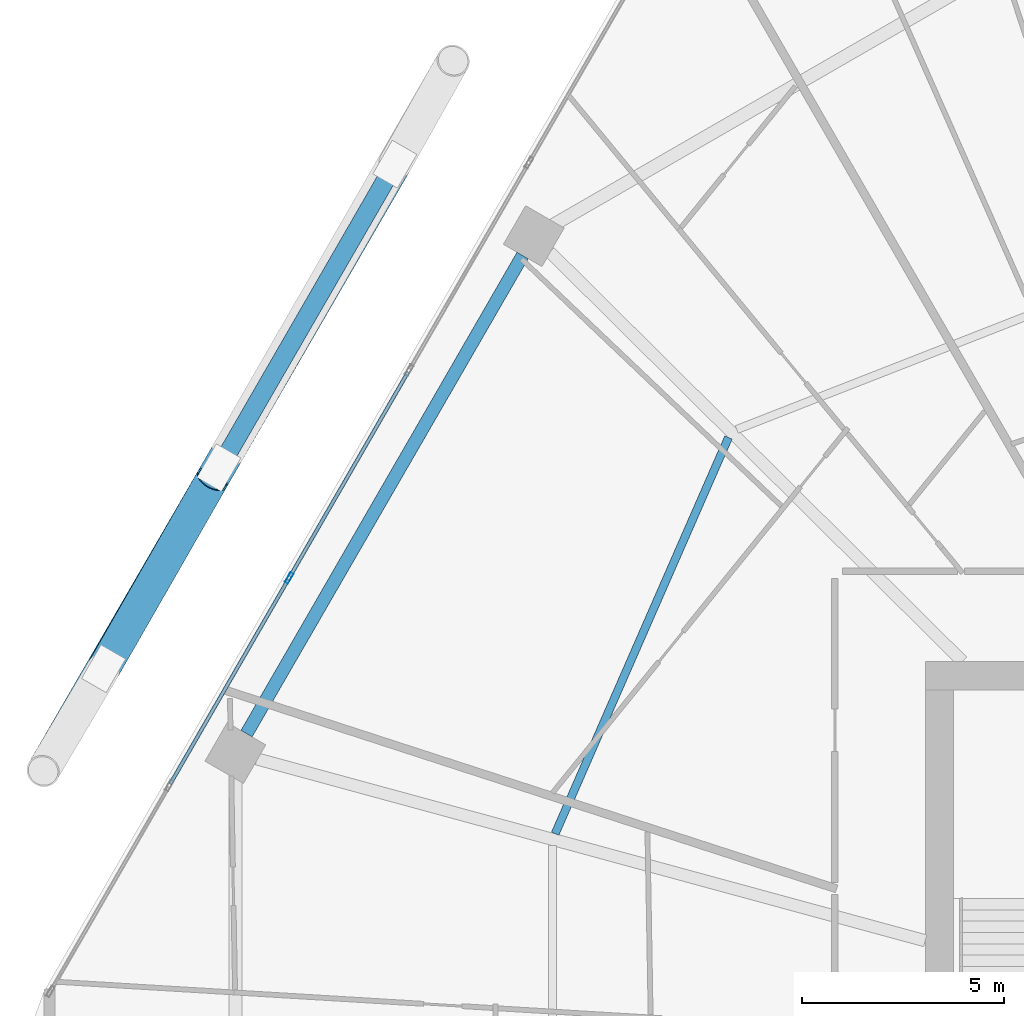
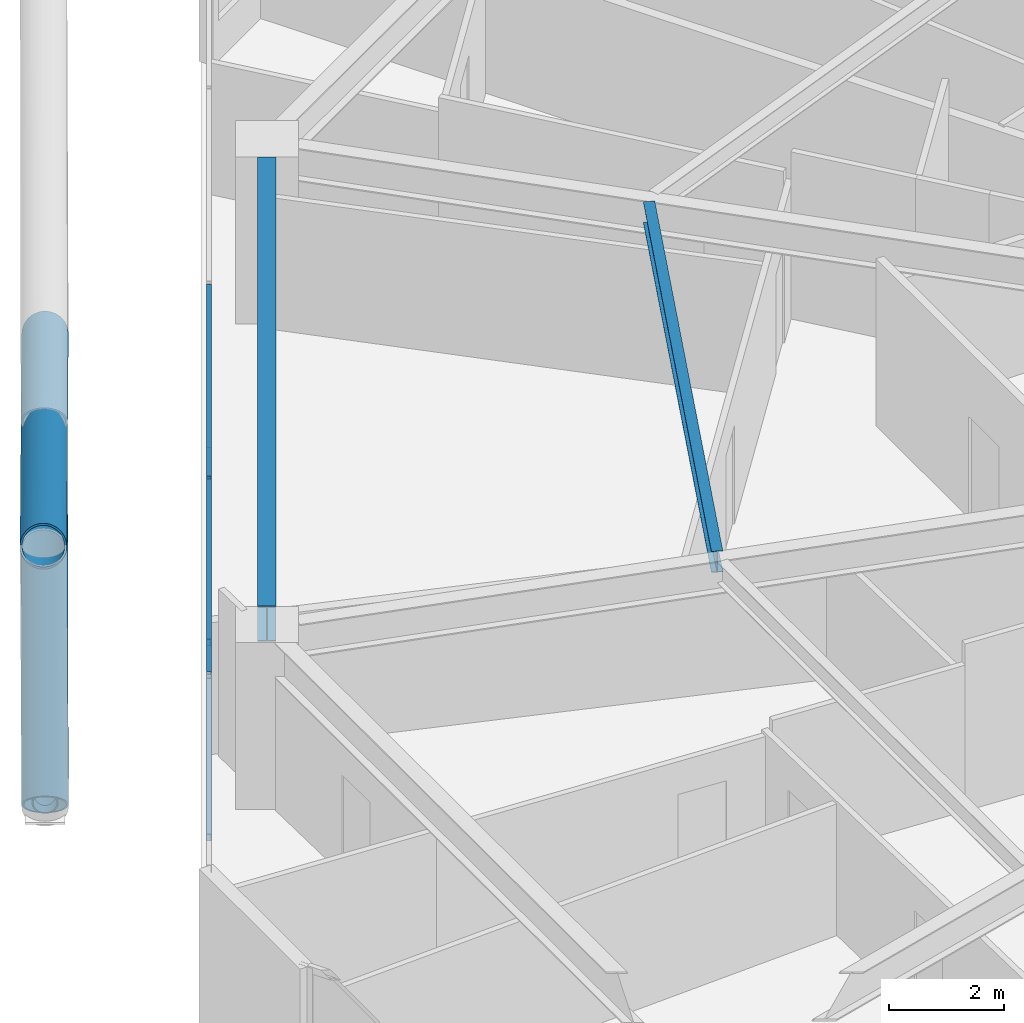
# One storey, part 15 of 34: 8 members, 2 beams, 1 element without a shape of its own.
"""IFC4 building model written with IfcOpenShell, lengths in metres."""

from ifc_helpers import new_model, si_unit, direction, frame, origin, origin_2d, place, context, subcontext, project, spatial, hollow_rectangle, hollow_circle, i_section, extrude, material, material_profile, profile_set, type_object, element, aggregate, save


model = new_model("IFC4")

# Units and contexts
model_context = context("Model", 3, precision=1e-05, world=origin(), true_north=direction((0.0, 1.0)))
body_context = subcontext(model_context, "Body", "Model", "MODEL_VIEW")
ifc_project = project(units=[si_unit("LENGTHUNIT", "METRE"), si_unit("AREAUNIT", "SQUARE_METRE"), si_unit("VOLUMEUNIT", "CUBIC_METRE"), si_unit("PLANEANGLEUNIT", "RADIAN"), si_unit("MASSUNIT", "GRAM", prefix="KILO")], contexts=[model_context])

# Site, building, storey
site_placement = place(None, origin())
site = spatial("IfcSite", under=ifc_project, at=site_placement, CompositionType="ELEMENT")
building_placement = place(site_placement, origin())
building = spatial("IfcBuilding", under=site, at=building_placement, Name="Zuhravey Tower", CompositionType="ELEMENT")
storey_placement = place(building_placement, frame((0.0, 0.0, 100.0)))
storey = spatial("IfcBuildingStorey", under=building, at=storey_placement, Name="L24", CompositionType="ELEMENT", Elevation=100.0)

# Curtain wall, members
ifc_material_1 = material(Name="Thermally broken anodised aluminium", Category="aluminium")
curtain_wall_type = type_object("IfcCurtainWallType", Name="Zone 1-2 Residential Curtain Wall CW3", PredefinedType="NOTDEFINED", material=ifc_material_1)
curtain_wall_placement = place(storey_placement, origin())
curtain_wall = element("IfcCurtainWall", 1, at=curtain_wall_placement, inside=storey, type_object=curtain_wall_type, Name="L24 CW3 CW-L24-F3-1", PredefinedType="NOTDEFINED")
ifc_material_2 = material(Name="Anodised aluminium", Category="aluminium")
ifc_material_profile_1 = material_profile(ifc_material_2, hollow_rectangle(XDim=0.090087890625, YDim=0.284912109375, WallThickness=0.0048828125, at=origin_2d()), Name="ALU-RHS-90x285x5")
ifc_profile_set_1 = profile_set([ifc_material_profile_1], Name="Anodised aluminium")
member_type_1 = type_object("IfcMemberType", Name="Curtain-Wall Mullion 90x180", PredefinedType="MULLION", material=ifc_profile_set_1)
member_1_placement = place(storey_placement, frame((9.44140625, 43.916015625, 0.0), z_axis=(0.0, 0.0, 1.0), x_axis=(-0.86602552265, 0.499999794119, 0.0)))
member_1 = element("IfcMember", 2, at=member_1_placement, type_object=member_type_1, Name="CW3 mullion 3", PredefinedType="MULLION", context=body_context, shape_type="SweptSolid", body=[
    extrude(hollow_rectangle(XDim=0.090087890625, YDim=0.284912109375, WallThickness=0.0048828125, at=origin_2d()), origin(), (0.0, 0.0, 1.0), 3.550048828125),
])
ifc_material_profile_2 = material_profile(ifc_material_2, hollow_rectangle(XDim=0.090087890625, YDim=0.14990234375, WallThickness=0.0048828125, at=origin_2d()), Name="ALU-RHS-90x150x5")
ifc_profile_set_2 = profile_set([ifc_material_profile_2], Name="Anodised aluminium")
member_type_2 = type_object("IfcMemberType", Name="Curtain-Wall Transom 90x150", PredefinedType="USERDEFINED", material=ifc_profile_set_2)
member_2_placement = place(storey_placement, frame((6.50390625, 38.828125, 0.044921875), z_axis=(0.499981042766, 0.866036348472, 0.0), x_axis=(-0.866036348472, 0.499981042766, 0.0)))
member_2 = element("IfcMember", 3, at=member_2_placement, type_object=member_type_2, Name="CW3 transom 2.1", ObjectType="TRANSOM", PredefinedType="USERDEFINED", context=body_context, shape_type="SweptSolid", body=[
    extrude(hollow_rectangle(XDim=0.090087890625, YDim=0.14990234375, WallThickness=0.0048828125, at=origin_2d()), origin(), (0.0, 0.0, 1.0), 5.829833984375),
])
member_3_placement = place(storey_placement, frame((6.50390625, 38.828125, 3.5048828125), z_axis=(0.499981042766, 0.866036348472, 0.0), x_axis=(-0.866036348472, 0.499981042766, 0.0)))
member_3 = element("IfcMember", 4, at=member_3_placement, type_object=member_type_2, Name="CW3 transom 2.2", ObjectType="TRANSOM", PredefinedType="USERDEFINED", context=body_context, shape_type="SweptSolid", body=[
    extrude(hollow_rectangle(XDim=0.090087890625, YDim=0.14990234375, WallThickness=0.0048828125, at=origin_2d()), origin(), (0.0, 0.0, 1.0), 5.829833984375),
])
member_4_placement = place(storey_placement, frame((9.4638671875, 43.954833984375, 0.044921875), z_axis=(0.499981042766, 0.866036348472, 0.0), x_axis=(-0.866036348472, 0.499981042766, 0.0)))
member_4 = element("IfcMember", 5, at=member_4_placement, type_object=member_type_2, Name="CW3 transom 3.1", ObjectType="TRANSOM", PredefinedType="USERDEFINED", context=body_context, shape_type="SweptSolid", body=[
    extrude(hollow_rectangle(XDim=0.090087890625, YDim=0.14990234375, WallThickness=0.0048828125, at=origin_2d()), origin(), (0.0, 0.0, 1.0), 5.829833984375),
])
member_5_placement = place(storey_placement, frame((9.4638671875, 43.954833984375, 3.5048828125), z_axis=(0.499981042766, 0.866036348472, 0.0), x_axis=(-0.866036348472, 0.499981042766, 0.0)))
member_5 = element("IfcMember", 6, at=member_5_placement, type_object=member_type_2, Name="CW3 transom 3.2", ObjectType="TRANSOM", PredefinedType="USERDEFINED", context=body_context, shape_type="SweptSolid", body=[
    extrude(hollow_rectangle(XDim=0.090087890625, YDim=0.14990234375, WallThickness=0.0048828125, at=origin_2d()), origin(), (0.0, 0.0, 1.0), 5.829833984375),
])
aggregate(curtain_wall, [member_1, member_2, member_3, member_4, member_5])

# Members
ifc_material_3 = material(Name="Steel SM355", Category="steel")
ifc_material_profile_3 = material_profile(ifc_material_3, hollow_circle(Radius=0.228515625, WallThickness=0.02197265625, at=origin_2d()), Name="CHS-457.2x22")
ifc_profile_set_3 = profile_set([ifc_material_profile_3], Name="Steel SM355")
member_type_3 = type_object("IfcMemberType", Name="Exoskeleton Ring Tie CHS457x22", PredefinedType="CHORD", material=ifc_profile_set_3)
member_6_placement = place(storey_placement, frame((11.97998046875, 54.012939453125, -0.464111328125), z_axis=(-0.500008572427, -0.866020454435, 0.0), x_axis=(0.866020454435, -0.500008572427, 0.0)))
element("IfcMember", 7, at=member_6_placement, inside=storey, type_object=member_type_3, Name="L24 Exoskeleton Face 3 Tie EXR1", PredefinedType="CHORD", context=body_context, shape_type="SweptSolid", body=[
    extrude(hollow_circle(Radius=0.228515625, WallThickness=0.02197265625, at=origin_2d()), origin(), (0.0, 0.0, 1.0), 14.107666015625),
])
ifc_material_4 = material(Name="Steel SM460", Category="steel")
ifc_material_profile_4 = material_profile(ifc_material_4, hollow_circle(Radius=0.406494140625, WallThickness=0.035888671875, at=origin_2d()), Name="CHS-812.8x36")
ifc_profile_set_4 = profile_set([ifc_material_profile_4], Name="Steel SM460")
member_type_4 = type_object("IfcMemberType", Name="Exoskeleton Zone 1 Diagrid CHS813x36", PredefinedType="BRACE", material=ifc_profile_set_4)
member_7_placement = place(storey_placement, frame((12.02490234375, 54.0908203125, -0.44189453125), z_axis=(-0.459283798788, -0.792320999893, 0.401604065342), x_axis=(0.865155504501, -0.501503691942, 0.0)))
element("IfcMember", 8, at=member_7_placement, inside=storey, type_object=member_type_4, Name="L24 Face 3 Diagrid Brace 2", PredefinedType="BRACE", context=body_context, shape_type="SweptSolid", body=[
    extrude(hollow_circle(Radius=0.406494140625, WallThickness=0.035888671875, at=origin_2d()), origin(), (0.0, 0.0, 1.0), 18.814208984375),
])
member_8_placement = place(storey_placement, frame((4.87890625, 41.7138671875, -0.43359375), z_axis=(0.414619896144, 0.722531946735, 0.553206948319), x_axis=(-0.867339622332, 0.497716766377, 0.0)))
element("IfcMember", 9, at=member_8_placement, inside=storey, type_object=member_type_4, Name="L24 Face 3 Split Diagrid Brace 3A", PredefinedType="BRACE", context=body_context, shape_type="SweptSolid", body=[
    extrude(hollow_circle(Radius=0.406494140625, WallThickness=0.035888671875, at=origin_2d()), origin(), (0.0, 0.0, 1.0), 6.417724609375),
])

# Beams
ifc_material_profile_5 = material_profile(ifc_material_3, i_section(OverallWidth=0.320068359375, OverallDepth=0.75, WebThickness=0.013916015625, FlangeThickness=0.02490234375, at=origin_2d()), Name="H-750x320x14x25")
ifc_profile_set_5 = profile_set([ifc_material_profile_5], Name="Steel SM355")
beam_type_1 = type_object("IfcBeamType", Name="Perimeter Ring Beam H750x320", PredefinedType="BEAM", material=ifc_profile_set_5)
beam_1_placement = place(storey_placement, frame((15.20458984375, 51.8779296875, 3.175048828125), z_axis=(-0.500008177929, -0.866020682204, 0.0), x_axis=(0.866020682204, -0.500008177929, 0.0)))
element("IfcBeam", 10, at=beam_1_placement, inside=storey, type_object=beam_type_1, Name="L24 PB1 BM-L24-PB-05", PredefinedType="BEAM", context=body_context, shape_type="SweptSolid", body=[
    extrude(i_section(OverallWidth=0.320068359375, OverallDepth=0.75, WebThickness=0.013916015625, FlangeThickness=0.02490234375, at=origin_2d()), origin(), (0.0, 0.0, 1.0), 13.634033203125),
])
ifc_material_profile_6 = material_profile(ifc_material_3, i_section(OverallWidth=0.199951171875, OverallDepth=0.449951171875, WebThickness=0.009033203125, FlangeThickness=0.013916015625, at=origin_2d()), Name="H-450x200x9x14")
ifc_profile_set_6 = profile_set([ifc_material_profile_6], Name="Steel SM355")
beam_type_2 = type_object("IfcBeamType", Name="Secondary Floor Joist H450x200", PredefinedType="JOIST", material=ifc_profile_set_6)
beam_2_placement = place(storey_placement, frame((20.28955078125, 47.384033203125, 3.324951171875), z_axis=(-0.400786454617, -0.916171500209, 0.0), x_axis=(0.916171500209, -0.400786454617, 0.0)))
element("IfcBeam", 11, at=beam_2_placement, inside=storey, type_object=beam_type_2, Name="L24 SJ1 BM-L24-SJ-05-1", PredefinedType="JOIST", context=body_context, shape_type="SweptSolid", body=[
    extrude(i_section(OverallWidth=0.199951171875, OverallDepth=0.449951171875, WebThickness=0.009033203125, FlangeThickness=0.013916015625, at=origin_2d()), origin(), (0.0, 0.0, 1.0), 10.6796875),
])

save(model, "model.ifc")
